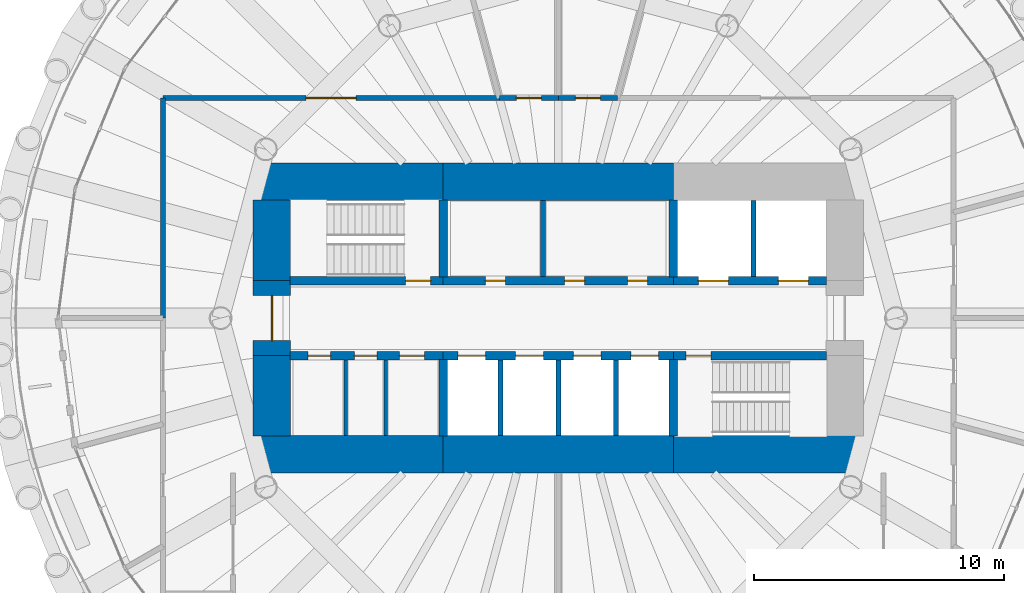
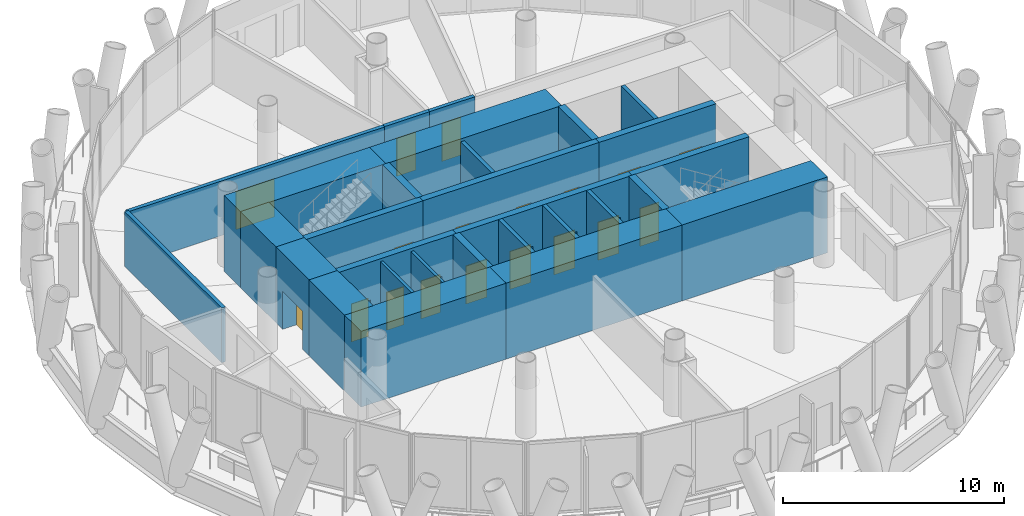
# One storey, part 9 of 13: 29 walls, 18 doors, 18 openings.
"""IFC4 building model written with IfcOpenShell, lengths in metres."""

from ifc_helpers import new_model, si_unit, direction, frame, frame_2d, origin, place, context, subcontext, project, spatial, rectangle, extrude, material, layer, layer_set, type_object, element, fill, save


model = new_model("IFC4")

# Units and contexts
model_context = context("Model", 3, precision=1e-05, world=origin(), true_north=direction((0.0, 1.0)))
body_context = subcontext(model_context, "Body", "Model", "MODEL_VIEW")
ifc_project = project(units=[si_unit("LENGTHUNIT", "METRE"), si_unit("AREAUNIT", "SQUARE_METRE"), si_unit("VOLUMEUNIT", "CUBIC_METRE"), si_unit("PLANEANGLEUNIT", "RADIAN"), si_unit("MASSUNIT", "GRAM", prefix="KILO")], contexts=[model_context])

# Site, building, storey
site_placement = place(None, origin())
site = spatial("IfcSite", under=ifc_project, at=site_placement, CompositionType="ELEMENT")
building_placement = place(site_placement, origin())
building = spatial("IfcBuilding", under=site, at=building_placement, Name="Qaws Media Tower", CompositionType="ELEMENT")
storey_placement = place(building_placement, frame((0.0, 0.0, 244.39990234375)))
storey = spatial("IfcBuildingStorey", under=building, at=storey_placement, Name="L56", CompositionType="ELEMENT", Elevation=244.39990234375)

# Wall, opening, door
ifc_material_1 = material(Name="Concrete C60/75", Category="concrete")
ifc_layer_1 = layer(ifc_material_1, 0.35009765625)
ifc_layer_set_1 = layer_set([ifc_layer_1], Name="Core inner wall 350")
wall_type_1 = type_object("IfcWallType", Name="Core inner wall 350", PredefinedType="SHEAR", material=ifc_layer_set_1)
wall_1_placement = place(storey_placement, frame((49.280029296875, 51.5, 0.0), z_axis=(0.0, 0.0, 1.0), x_axis=(1.0, 0.0, 0.0)))
wall_1 = element("IfcWall", 1, at=wall_1_placement, inside=storey, type_object=wall_type_1, Name="W301 SW5 core wall SPNW L56", PredefinedType="SHEAR", context=body_context, shape_type="SweptSolid", body=[
    extrude(rectangle(XDim=6.119873046875, YDim=0.35009765625, at=frame_2d((3.06005859375, 0.0))), origin(), (0.0, 0.0, 1.0), 4.2001953125),
])
opening_1_placement = place(wall_1_placement, frame((4.6201171875, 0.0, 0.0)))
opening_1 = element("IfcOpeningElement", 2, at=opening_1_placement, cuts=wall_1, Name="Opening D1", PredefinedType="OPENING", context=body_context, shape_type="SweptSolid", body=[
    extrude(rectangle(XDim=1.0, YDim=2.10009765625, at=frame_2d((0.5, 1.050048828125))), frame((0.0, 0.18505859375, 0.0), z_axis=(0.0, -1.0, 0.0), x_axis=(1.0, 0.0, 0.0)), (0.0, 0.0, 1.0), 0.3701171875),
])
ifc_material_2 = material(Name="Steel, fire rated", Category="steel")
door_type_1 = type_object("IfcDoorType", Name="Stair door 1000 FD120", OperationType="SINGLE_SWING_LEFT", PredefinedType="DOOR", material=ifc_material_2)
door_1_placement = place(opening_1_placement, origin())
door_1 = element("IfcDoor", 3, at=door_1_placement, inside=storey, type_object=door_type_1, Name="D1 stair S1 door L56 in wall W301", OperationType="SINGLE_SWING_LEFT", OverallHeight=2.10009765625, OverallWidth=1.0, PredefinedType="DOOR", context=body_context, shape_type="SweptSolid", body=[
    extrude(rectangle(XDim=1.0, YDim=2.10009765625, at=frame_2d((0.5, 1.050048828125))), frame((0.0, 0.02490234375, 0.0), z_axis=(0.0, -1.0, 0.0), x_axis=(1.0, 0.0, 0.0)), (0.0, 0.0, 1.0), 0.050048828125),
])
fill(opening_1, door_1)

# Wall, openings, doors
wall_2_placement = place(storey_placement, frame((55.39990234375, 51.5, 0.0), z_axis=(0.0, 0.0, 1.0), x_axis=(1.0, 0.0, 0.0)))
wall_2 = element("IfcWall", 4, at=wall_2_placement, inside=storey, type_object=wall_type_1, Name="W304 SW5 core wall SPN L56", PredefinedType="SHEAR", context=body_context, shape_type="SweptSolid", body=[
    extrude(rectangle(XDim=9.2001953125, YDim=0.35009765625, at=frame_2d((4.60009765625, 0.0))), origin(), (0.0, 0.0, 1.0), 4.2001953125),
])
opening_2_placement = place(wall_2_placement, frame((1.685791015625, 0.0, 0.0)))
opening_2 = element("IfcOpeningElement", 5, at=opening_2_placement, cuts=wall_2, Name="Opening D23", PredefinedType="OPENING", context=body_context, shape_type="SweptSolid", body=[
    extrude(rectangle(XDim=0.800048828125, YDim=2.10009765625, at=frame_2d((0.39990234375, 1.050048828125))), frame((0.0, 0.18505859375, 0.0), z_axis=(0.0, -1.0, 0.0), x_axis=(1.0, 0.0, 0.0)), (0.0, 0.0, 1.0), 0.3701171875),
])
opening_3_placement = place(wall_2_placement, frame((4.853759765625, 0.0, 0.0)))
opening_3 = element("IfcOpeningElement", 6, at=opening_3_placement, cuts=wall_2, Name="Opening D23", PredefinedType="OPENING", context=body_context, shape_type="SweptSolid", body=[
    extrude(rectangle(XDim=0.800048828125, YDim=2.10009765625, at=frame_2d((0.39990234375, 1.050048828125))), frame((0.0, 0.18505859375, 0.0), z_axis=(0.0, -1.0, 0.0), x_axis=(1.0, 0.0, 0.0)), (0.0, 0.0, 1.0), 0.3701171875),
])
opening_4_placement = place(wall_2_placement, frame((7.367919921875, 0.0, 0.0)))
opening_4 = element("IfcOpeningElement", 7, at=opening_4_placement, cuts=wall_2, Name="Opening D23", PredefinedType="OPENING", context=body_context, shape_type="SweptSolid", body=[
    extrude(rectangle(XDim=0.800048828125, YDim=2.10009765625, at=frame_2d((0.39990234375, 1.050048828125))), frame((0.0, 0.18505859375, 0.0), z_axis=(0.0, -1.0, 0.0), x_axis=(1.0, 0.0, 0.0)), (0.0, 0.0, 1.0), 0.3701171875),
])
ifc_material_3 = material(Name="Steel, fire rated", Category="steel")
door_type_2 = type_object("IfcDoorType", Name="Core room door 800x2100", OperationType="SINGLE_SWING_LEFT", PredefinedType="DOOR", material=ifc_material_3)
door_2_placement = place(opening_2_placement, origin())
door_2 = element("IfcDoor", 8, at=door_2_placement, inside=storey, type_object=door_type_2, Name="D23 Gents toilets door L56 in wall W304", OperationType="SINGLE_SWING_LEFT", OverallHeight=2.10009765625, OverallWidth=0.800048828125, PredefinedType="DOOR", context=body_context, shape_type="SweptSolid", body=[
    extrude(rectangle(XDim=0.800048828125, YDim=2.10009765625, at=frame_2d((0.39990234375, 1.050048828125))), frame((0.0, 0.02490234375, 0.0), z_axis=(0.0, -1.0, 0.0), x_axis=(1.0, 0.0, 0.0)), (0.0, 0.0, 1.0), 0.050048828125),
])
fill(opening_2, door_2)
door_3_placement = place(opening_3_placement, origin())
door_3 = element("IfcDoor", 9, at=door_3_placement, inside=storey, type_object=door_type_2, Name="D23 Ladies toilets door L56 2 in wall W304", OperationType="SINGLE_SWING_LEFT", OverallHeight=2.10009765625, OverallWidth=0.800048828125, PredefinedType="DOOR", context=body_context, shape_type="SweptSolid", body=[
    extrude(rectangle(XDim=0.800048828125, YDim=2.10009765625, at=frame_2d((0.39990234375, 1.050048828125))), frame((0.0, 0.02490234375, 0.0), z_axis=(0.0, -1.0, 0.0), x_axis=(1.0, 0.0, 0.0)), (0.0, 0.0, 1.0), 0.050048828125),
])
fill(opening_3, door_3)
door_4_placement = place(opening_4_placement, origin())
door_4 = element("IfcDoor", 10, at=door_4_placement, inside=storey, type_object=door_type_2, Name="D23 Ladies toilets door L56 3 in wall W304", OperationType="SINGLE_SWING_LEFT", OverallHeight=2.10009765625, OverallWidth=0.800048828125, PredefinedType="DOOR", context=body_context, shape_type="SweptSolid", body=[
    extrude(rectangle(XDim=0.800048828125, YDim=2.10009765625, at=frame_2d((0.39990234375, 1.050048828125))), frame((0.0, 0.02490234375, 0.0), z_axis=(0.0, -1.0, 0.0), x_axis=(1.0, 0.0, 0.0)), (0.0, 0.0, 1.0), 0.050048828125),
])
fill(opening_4, door_4)

wall_3_placement = place(storey_placement, frame((64.60009765625, 51.5, 0.0), z_axis=(0.0, 0.0, 1.0), x_axis=(1.0, 0.0, 0.0)))
wall_3 = element("IfcWall", 11, at=wall_3_placement, inside=storey, type_object=wall_type_1, Name="W308 SW5 core wall SPNE L56", PredefinedType="SHEAR", context=body_context, shape_type="SweptSolid", body=[
    extrude(rectangle(XDim=6.119873046875, YDim=0.35009765625, at=frame_2d((3.06005859375, 0.0))), origin(), (0.0, 0.0, 1.0), 4.2001953125),
])
opening_5_placement = place(wall_3_placement, frame((1.0, 0.0, 0.0)))
opening_5 = element("IfcOpeningElement", 12, at=opening_5_placement, cuts=wall_3, Name="Opening LD2", PredefinedType="OPENING", context=body_context, shape_type="SweptSolid", body=[
    extrude(rectangle(XDim=1.199951171875, YDim=2.10009765625, at=frame_2d((0.60009765625, 1.050048828125))), frame((0.0, 0.18505859375, 0.0), z_axis=(0.0, -1.0, 0.0), x_axis=(1.0, 0.0, 0.0)), (0.0, 0.0, 1.0), 0.3701171875),
])
opening_6_placement = place(wall_3_placement, frame((4.199951171875, 0.0, 0.0)))
opening_6 = element("IfcOpeningElement", 13, at=opening_6_placement, cuts=wall_3, Name="Opening LD2", PredefinedType="OPENING", context=body_context, shape_type="SweptSolid", body=[
    extrude(rectangle(XDim=1.199951171875, YDim=2.10009765625, at=frame_2d((0.60009765625, 1.050048828125))), frame((0.0, 0.18505859375, 0.0), z_axis=(0.0, -1.0, 0.0), x_axis=(1.0, 0.0, 0.0)), (0.0, 0.0, 1.0), 0.3701171875),
])
ifc_material_4 = material(Name="Steel, fire rated", Category="steel")
door_type_3 = type_object("IfcDoorType", Name="Lift landing door 1200", OperationType="SLIDING_TO_LEFT", PredefinedType="DOOR", material=ifc_material_4)
door_5_placement = place(opening_5_placement, origin())
door_5 = element("IfcDoor", 14, at=door_5_placement, inside=storey, type_object=door_type_3, Name="FL1 landing door L56 in wall W308", OperationType="SLIDING_TO_LEFT", OverallHeight=2.10009765625, OverallWidth=1.199951171875, PredefinedType="DOOR", context=body_context, shape_type="SweptSolid", body=[
    extrude(rectangle(XDim=1.199951171875, YDim=2.10009765625, at=frame_2d((0.60009765625, 1.050048828125))), frame((0.0, 0.02490234375, 0.0), z_axis=(0.0, -1.0, 0.0), x_axis=(1.0, 0.0, 0.0)), (0.0, 0.0, 1.0), 0.050048828125),
])
fill(opening_5, door_5)
door_6_placement = place(opening_6_placement, origin())
door_6 = element("IfcDoor", 15, at=door_6_placement, inside=storey, type_object=door_type_3, Name="FL2 landing door L56 in wall W308", OperationType="SLIDING_TO_LEFT", OverallHeight=2.10009765625, OverallWidth=1.199951171875, PredefinedType="DOOR", context=body_context, shape_type="SweptSolid", body=[
    extrude(rectangle(XDim=1.199951171875, YDim=2.10009765625, at=frame_2d((0.60009765625, 1.050048828125))), frame((0.0, 0.02490234375, 0.0), z_axis=(0.0, -1.0, 0.0), x_axis=(1.0, 0.0, 0.0)), (0.0, 0.0, 1.0), 0.050048828125),
])
fill(opening_6, door_6)

wall_4_placement = place(storey_placement, frame((49.280029296875, 48.5, 0.0), z_axis=(0.0, 0.0, 1.0), x_axis=(1.0, 0.0, 0.0)))
wall_4 = element("IfcWall", 16, at=wall_4_placement, inside=storey, type_object=wall_type_1, Name="W300 SW5 core wall SPSW L56", PredefinedType="SHEAR", context=body_context, shape_type="SweptSolid", body=[
    extrude(rectangle(XDim=6.119873046875, YDim=0.35009765625, at=frame_2d((3.06005859375, 0.0))), origin(), (0.0, 0.0, 1.0), 4.2001953125),
])
opening_7_placement = place(wall_4_placement, frame((0.719970703125, 0.0, 0.0)))
opening_7 = element("IfcOpeningElement", 17, at=opening_7_placement, cuts=wall_4, Name="Opening D3", PredefinedType="OPENING", context=body_context, shape_type="SweptSolid", body=[
    extrude(rectangle(XDim=0.89990234375, YDim=2.10009765625, at=frame_2d((0.449951171875, 1.050048828125))), frame((0.0, 0.18505859375, 0.0), z_axis=(0.0, -1.0, 0.0), x_axis=(1.0, 0.0, 0.0)), (0.0, 0.0, 1.0), 0.3701171875),
])
opening_8_placement = place(wall_4_placement, frame((2.570068359375, 0.0, 0.0)))
opening_8 = element("IfcOpeningElement", 18, at=opening_8_placement, cuts=wall_4, Name="Opening D25", PredefinedType="OPENING", context=body_context, shape_type="SweptSolid", body=[
    extrude(rectangle(XDim=0.89990234375, YDim=2.10009765625, at=frame_2d((0.449951171875, 1.050048828125))), frame((0.0, 0.18505859375, 0.0), z_axis=(0.0, -1.0, 0.0), x_axis=(1.0, 0.0, 0.0)), (0.0, 0.0, 1.0), 0.3701171875),
])
opening_9_placement = place(wall_4_placement, frame((4.3701171875, 0.0, 0.0)))
opening_9 = element("IfcOpeningElement", 19, at=opening_9_placement, cuts=wall_4, Name="Opening D4", PredefinedType="OPENING", context=body_context, shape_type="SweptSolid", body=[
    extrude(rectangle(XDim=1.0, YDim=2.10009765625, at=frame_2d((0.5, 1.050048828125))), frame((0.0, 0.18505859375, 0.0), z_axis=(0.0, -1.0, 0.0), x_axis=(1.0, 0.0, 0.0)), (0.0, 0.0, 1.0), 0.3701171875),
])
ifc_material_5 = material(Name="Timber veneered", Category="wood")
door_type_4 = type_object("IfcDoorType", Name="Accessible WC door 1000", OperationType="SLIDING_TO_LEFT", PredefinedType="DOOR", material=ifc_material_5)
door_7_placement = place(opening_9_placement, origin())
door_7 = element("IfcDoor", 20, at=door_7_placement, inside=storey, type_object=door_type_4, Name="D4 toilet door 3 L56 in wall W300", OperationType="SLIDING_TO_LEFT", OverallHeight=2.10009765625, OverallWidth=1.0, PredefinedType="DOOR", context=body_context, shape_type="SweptSolid", body=[
    extrude(rectangle(XDim=1.0, YDim=2.10009765625, at=frame_2d((0.5, 1.050048828125))), frame((0.0, 0.02490234375, 0.0), z_axis=(0.0, -1.0, 0.0), x_axis=(1.0, 0.0, 0.0)), (0.0, 0.0, 1.0), 0.050048828125),
])
fill(opening_9, door_7)
ifc_material_6 = material(Name="Steel, fire rated", Category="steel")
door_type_5 = type_object("IfcDoorType", Name="Core service door 900", OperationType="SINGLE_SWING_RIGHT", PredefinedType="DOOR", material=ifc_material_6)
door_8_placement = place(opening_8_placement, origin())
door_8 = element("IfcDoor", 21, at=door_8_placement, inside=storey, type_object=door_type_5, Name="D25 toilet door 2 L56 in wall W300", OperationType="SINGLE_SWING_RIGHT", OverallHeight=2.10009765625, OverallWidth=0.89990234375, PredefinedType="DOOR", context=body_context, shape_type="SweptSolid", body=[
    extrude(rectangle(XDim=0.89990234375, YDim=2.10009765625, at=frame_2d((0.449951171875, 1.050048828125))), frame((0.0, 0.02490234375, 0.0), z_axis=(0.0, -1.0, 0.0), x_axis=(1.0, 0.0, 0.0)), (0.0, 0.0, 1.0), 0.050048828125),
])
fill(opening_8, door_8)
ifc_material_7 = material(Name="Timber veneered", Category="wood")
door_type_6 = type_object("IfcDoorType", Name="Toilet door 900", OperationType="SINGLE_SWING_RIGHT", PredefinedType="DOOR", material=ifc_material_7)
door_9_placement = place(opening_7_placement, origin())
door_9 = element("IfcDoor", 22, at=door_9_placement, inside=storey, type_object=door_type_6, Name="D3 toilet door 1 L56 in wall W300", OperationType="SINGLE_SWING_RIGHT", OverallHeight=2.10009765625, OverallWidth=0.89990234375, PredefinedType="DOOR", context=body_context, shape_type="SweptSolid", body=[
    extrude(rectangle(XDim=0.89990234375, YDim=2.10009765625, at=frame_2d((0.449951171875, 1.050048828125))), frame((0.0, 0.02490234375, 0.0), z_axis=(0.0, -1.0, 0.0), x_axis=(1.0, 0.0, 0.0)), (0.0, 0.0, 1.0), 0.050048828125),
])
fill(opening_7, door_9)

wall_5_placement = place(storey_placement, frame((55.39990234375, 48.5, 0.0), z_axis=(0.0, 0.0, 1.0), x_axis=(1.0, 0.0, 0.0)))
wall_5 = element("IfcWall", 23, at=wall_5_placement, inside=storey, type_object=wall_type_1, Name="W303 SW5 core wall SPS L56", PredefinedType="SHEAR", context=body_context, shape_type="SweptSolid", body=[
    extrude(rectangle(XDim=9.2001953125, YDim=0.35009765625, at=frame_2d((4.60009765625, 0.0))), origin(), (0.0, 0.0, 1.0), 4.2001953125),
])
opening_10_placement = place(wall_5_placement, frame((0.60009765625, 0.0, 0.0)))
opening_10 = element("IfcOpeningElement", 24, at=opening_10_placement, cuts=wall_5, Name="Opening LD", PredefinedType="OPENING", context=body_context, shape_type="SweptSolid", body=[
    extrude(rectangle(XDim=1.10009765625, YDim=2.10009765625, at=frame_2d((0.550048828125, 1.050048828125))), frame((0.0, 0.18505859375, 0.0), z_axis=(0.0, -1.0, 0.0), x_axis=(1.0, 0.0, 0.0)), (0.0, 0.0, 1.0), 0.3701171875),
])
opening_11_placement = place(wall_5_placement, frame((2.89990234375, 0.0, 0.0)))
opening_11 = element("IfcOpeningElement", 25, at=opening_11_placement, cuts=wall_5, Name="Opening LD", PredefinedType="OPENING", context=body_context, shape_type="SweptSolid", body=[
    extrude(rectangle(XDim=1.10009765625, YDim=2.10009765625, at=frame_2d((0.550048828125, 1.050048828125))), frame((0.0, 0.18505859375, 0.0), z_axis=(0.0, -1.0, 0.0), x_axis=(1.0, 0.0, 0.0)), (0.0, 0.0, 1.0), 0.3701171875),
])
opening_12_placement = place(wall_5_placement, frame((5.199951171875, 0.0, 0.0)))
opening_12 = element("IfcOpeningElement", 26, at=opening_12_placement, cuts=wall_5, Name="Opening LD", PredefinedType="OPENING", context=body_context, shape_type="SweptSolid", body=[
    extrude(rectangle(XDim=1.10009765625, YDim=2.10009765625, at=frame_2d((0.550048828125, 1.050048828125))), frame((0.0, 0.18505859375, 0.0), z_axis=(0.0, -1.0, 0.0), x_axis=(1.0, 0.0, 0.0)), (0.0, 0.0, 1.0), 0.3701171875),
])
opening_13_placement = place(wall_5_placement, frame((7.5, 0.0, 0.0)))
opening_13 = element("IfcOpeningElement", 27, at=opening_13_placement, cuts=wall_5, Name="Opening LD", PredefinedType="OPENING", context=body_context, shape_type="SweptSolid", body=[
    extrude(rectangle(XDim=1.10009765625, YDim=2.10009765625, at=frame_2d((0.550048828125, 1.050048828125))), frame((0.0, 0.18505859375, 0.0), z_axis=(0.0, -1.0, 0.0), x_axis=(1.0, 0.0, 0.0)), (0.0, 0.0, 1.0), 0.3701171875),
])
ifc_material_8 = material(Name="Steel, fire rated", Category="steel")
door_type_7 = type_object("IfcDoorType", Name="Lift landing door 1100", OperationType="SLIDING_TO_LEFT", PredefinedType="DOOR", material=ifc_material_8)
door_10_placement = place(opening_10_placement, origin())
door_10 = element("IfcDoor", 28, at=door_10_placement, inside=storey, type_object=door_type_7, Name="P5 landing door L56 in wall W303", OperationType="SLIDING_TO_LEFT", OverallHeight=2.10009765625, OverallWidth=1.10009765625, PredefinedType="DOOR", context=body_context, shape_type="SweptSolid", body=[
    extrude(rectangle(XDim=1.10009765625, YDim=2.10009765625, at=frame_2d((0.550048828125, 1.050048828125))), frame((0.0, 0.02490234375, 0.0), z_axis=(0.0, -1.0, 0.0), x_axis=(1.0, 0.0, 0.0)), (0.0, 0.0, 1.0), 0.050048828125),
])
fill(opening_10, door_10)
door_11_placement = place(opening_11_placement, origin())
door_11 = element("IfcDoor", 29, at=door_11_placement, inside=storey, type_object=door_type_7, Name="P6 landing door L56 in wall W303", OperationType="SLIDING_TO_LEFT", OverallHeight=2.10009765625, OverallWidth=1.10009765625, PredefinedType="DOOR", context=body_context, shape_type="SweptSolid", body=[
    extrude(rectangle(XDim=1.10009765625, YDim=2.10009765625, at=frame_2d((0.550048828125, 1.050048828125))), frame((0.0, 0.02490234375, 0.0), z_axis=(0.0, -1.0, 0.0), x_axis=(1.0, 0.0, 0.0)), (0.0, 0.0, 1.0), 0.050048828125),
])
fill(opening_11, door_11)
door_12_placement = place(opening_12_placement, origin())
door_12 = element("IfcDoor", 30, at=door_12_placement, inside=storey, type_object=door_type_7, Name="P7 landing door L56 in wall W303", OperationType="SLIDING_TO_LEFT", OverallHeight=2.10009765625, OverallWidth=1.10009765625, PredefinedType="DOOR", context=body_context, shape_type="SweptSolid", body=[
    extrude(rectangle(XDim=1.10009765625, YDim=2.10009765625, at=frame_2d((0.550048828125, 1.050048828125))), frame((0.0, 0.02490234375, 0.0), z_axis=(0.0, -1.0, 0.0), x_axis=(1.0, 0.0, 0.0)), (0.0, 0.0, 1.0), 0.050048828125),
])
fill(opening_12, door_12)
door_13_placement = place(opening_13_placement, origin())
door_13 = element("IfcDoor", 31, at=door_13_placement, inside=storey, type_object=door_type_7, Name="P8 landing door L56 in wall W303", OperationType="SLIDING_TO_LEFT", OverallHeight=2.10009765625, OverallWidth=1.10009765625, PredefinedType="DOOR", context=body_context, shape_type="SweptSolid", body=[
    extrude(rectangle(XDim=1.10009765625, YDim=2.10009765625, at=frame_2d((0.550048828125, 1.050048828125))), frame((0.0, 0.02490234375, 0.0), z_axis=(0.0, -1.0, 0.0), x_axis=(1.0, 0.0, 0.0)), (0.0, 0.0, 1.0), 0.050048828125),
])
fill(opening_13, door_13)

# Wall, opening, door
wall_6_placement = place(storey_placement, frame((64.60009765625, 48.5, 0.0), z_axis=(0.0, 0.0, 1.0), x_axis=(1.0, 0.0, 0.0)))
wall_6 = element("IfcWall", 32, at=wall_6_placement, inside=storey, type_object=wall_type_1, Name="W307 SW5 core wall SPSE L56", PredefinedType="SHEAR", context=body_context, shape_type="SweptSolid", body=[
    extrude(rectangle(XDim=6.119873046875, YDim=0.35009765625, at=frame_2d((3.06005859375, 0.0))), origin(), (0.0, 0.0, 1.0), 4.2001953125),
])
opening_14_placement = place(wall_6_placement, frame((0.5, 0.0, 0.0)))
opening_14 = element("IfcOpeningElement", 33, at=opening_14_placement, cuts=wall_6, Name="Opening D1", PredefinedType="OPENING", context=body_context, shape_type="SweptSolid", body=[
    extrude(rectangle(XDim=1.0, YDim=2.10009765625, at=frame_2d((0.5, 1.050048828125))), frame((0.0, 0.18505859375, 0.0), z_axis=(0.0, -1.0, 0.0), x_axis=(1.0, 0.0, 0.0)), (0.0, 0.0, 1.0), 0.3701171875),
])
door_14_placement = place(opening_14_placement, origin())
door_14 = element("IfcDoor", 34, at=door_14_placement, inside=storey, type_object=door_type_1, Name="D1 stair S2 door L56 in wall W307", OperationType="SINGLE_SWING_LEFT", OverallHeight=2.10009765625, OverallWidth=1.0, PredefinedType="DOOR", context=body_context, shape_type="SweptSolid", body=[
    extrude(rectangle(XDim=1.0, YDim=2.10009765625, at=frame_2d((0.5, 1.050048828125))), frame((0.0, 0.02490234375, 0.0), z_axis=(0.0, -1.0, 0.0), x_axis=(1.0, 0.0, 0.0)), (0.0, 0.0, 1.0), 0.050048828125),
])
fill(opening_14, door_14)

# Walls
for number, where, z_axis, x_axis, name in (
    (35, (55.39990234375, 51.655029296875, 0.0), (0.0, 0.0, 1.0), (0.0, 1.0, 0.0), "W305 SW5 core wall XNW L56"),
    (36, (64.60009765625, 51.655029296875, 0.0), (0.0, 0.0, 1.0), (0.0, 1.0, 0.0), "W309 SW5 core wall XNE L56"),
    (37, (55.39990234375, 48.344970703125, 0.0), (0.0, 0.0, 1.0), (0.0, -1.0, 0.0), "W302 SW5 core wall XSW L56"),
    (38, (64.60009765625, 48.344970703125, 0.0), (0.0, 0.0, 1.0), (0.0, -1.0, 0.0), "W306 SW5 core wall XSE L56"),
):
    element("IfcWall", number, at=place(storey_placement, frame(where, z_axis=z_axis, x_axis=x_axis)), inside=storey, type_object=wall_type_1, Name=name, PredefinedType="SHEAR", context=body_context, shape_type="SweptSolid", body=[
        extrude(rectangle(XDim=3.06494140625, YDim=0.35009765625, at=frame_2d((1.532470703125, 0.0))), origin(), (0.0, 0.0, 1.0), 4.2001953125),
    ])
ifc_material_9 = material(Name="Concrete C60/75", Category="concrete")
ifc_layer_2 = layer(ifc_material_9, 1.5)
ifc_layer_set_2 = layer_set([ifc_layer_2], Name="Core wall 1500")
wall_type_2 = type_object("IfcWallType", Name="Core wall 1500", PredefinedType="SHEAR", material=ifc_layer_set_2)
wall_7_placement = place(storey_placement, frame((47.800048828125, 55.449951171875, 0.0), z_axis=(0.0, 0.0, 1.0), x_axis=(1.0, 0.0, 0.0)))
element("IfcWall", 39, at=wall_7_placement, inside=storey, type_object=wall_type_2, Name="W377 SW13 core wall NW L56", PredefinedType="SHEAR", context=body_context, shape_type="SweptSolid", body=[
    extrude(rectangle(XDim=7.599853515625, YDim=1.5, at=frame_2d((3.7998046875, 0.0))), origin(), (0.0, 0.0, 1.0), 4.2001953125),
])
wall_8_placement = place(storey_placement, frame((55.39990234375, 55.449951171875, 0.0), z_axis=(0.0, 0.0, 1.0), x_axis=(1.0, 0.0, 0.0)))
element("IfcWall", 40, at=wall_8_placement, inside=storey, type_object=wall_type_2, Name="W373 SW13 core wall N L56", PredefinedType="SHEAR", context=body_context, shape_type="SweptSolid", body=[
    extrude(rectangle(XDim=9.2001953125, YDim=1.5, at=frame_2d((4.60009765625, 0.0))), origin(), (0.0, 0.0, 1.0), 4.2001953125),
])
wall_9_placement = place(storey_placement, frame((47.800048828125, 44.550048828125, 0.0), z_axis=(0.0, 0.0, 1.0), x_axis=(1.0, 0.0, 0.0)))
element("IfcWall", 41, at=wall_9_placement, inside=storey, type_object=wall_type_2, Name="W376 SW13 core wall SW L56", PredefinedType="SHEAR", context=body_context, shape_type="SweptSolid", body=[
    extrude(rectangle(XDim=7.599853515625, YDim=1.5, at=frame_2d((3.7998046875, 0.0))), origin(), (0.0, 0.0, 1.0), 4.2001953125),
])
wall_10_placement = place(storey_placement, frame((55.39990234375, 44.550048828125, 0.0), z_axis=(0.0, 0.0, 1.0), x_axis=(1.0, 0.0, 0.0)))
element("IfcWall", 42, at=wall_10_placement, inside=storey, type_object=wall_type_2, Name="W372 SW13 core wall S L56", PredefinedType="SHEAR", context=body_context, shape_type="SweptSolid", body=[
    extrude(rectangle(XDim=9.2001953125, YDim=1.5, at=frame_2d((4.60009765625, 0.0))), origin(), (0.0, 0.0, 1.0), 4.2001953125),
])
wall_11_placement = place(storey_placement, frame((64.60009765625, 44.550048828125, 0.0), z_axis=(0.0, 0.0, 1.0), x_axis=(1.0, 0.0, 0.0)))
element("IfcWall", 43, at=wall_11_placement, inside=storey, type_object=wall_type_2, Name="W381 SW13 core wall SE L56", PredefinedType="SHEAR", context=body_context, shape_type="SweptSolid", body=[
    extrude(rectangle(XDim=7.599853515625, YDim=1.5, at=frame_2d((3.7998046875, 0.0))), origin(), (0.0, 0.0, 1.0), 4.2001953125),
])
wall_12_placement = place(storey_placement, frame((48.550048828125, 45.280029296875, 0.0), z_axis=(0.0, 0.0, 1.0), x_axis=(0.0, 1.0, 0.0)))
element("IfcWall", 44, at=wall_12_placement, inside=storey, type_object=wall_type_2, Name="W378 SW13 core wall WS L56", PredefinedType="SHEAR", context=body_context, shape_type="SweptSolid", body=[
    extrude(rectangle(XDim=3.219970703125, YDim=1.5, at=frame_2d((1.60986328125, 0.0))), origin(), (0.0, 0.0, 1.0), 4.2001953125),
])

# Wall, opening, door
wall_13_placement = place(storey_placement, frame((48.550048828125, 48.5, 0.0), z_axis=(0.0, 0.0, 1.0), x_axis=(0.0, 1.0, 0.0)))
wall_13 = element("IfcWall", 45, at=wall_13_placement, inside=storey, type_object=wall_type_2, Name="W379 SW13 core wall W L56", PredefinedType="SHEAR", context=body_context, shape_type="SweptSolid", body=[
    extrude(rectangle(XDim=3.0, YDim=1.5, at=frame_2d((1.5, 0.0))), origin(), (0.0, 0.0, 1.0), 4.2001953125),
])
opening_15_placement = place(wall_13_placement, frame((0.60009765625, 0.0, 0.0)))
opening_15 = element("IfcOpeningElement", 46, at=opening_15_placement, cuts=wall_13, Name="Opening D2", PredefinedType="OPENING", context=body_context, shape_type="SweptSolid", body=[
    extrude(rectangle(XDim=1.800048828125, YDim=2.10009765625, at=frame_2d((0.89990234375, 1.050048828125))), frame((0.0, 0.760009765625, 0.0), z_axis=(0.0, -1.0, 0.0), x_axis=(1.0, 0.0, 0.0)), (0.0, 0.0, 1.0), 1.52001953125),
])
ifc_material_10 = material(Name="Steel and glass, fire rated", Category="steel")
door_type_8 = type_object("IfcDoorType", Name="Lobby door pair 1800 FD60", OperationType="DOUBLE_DOOR_DOUBLE_SWING", PredefinedType="DOOR", material=ifc_material_10)
door_15_placement = place(opening_15_placement, origin())
door_15 = element("IfcDoor", 47, at=door_15_placement, inside=storey, type_object=door_type_8, Name="D2 core lobby door W L56 in wall W379", OperationType="DOUBLE_DOOR_DOUBLE_SWING", OverallHeight=2.10009765625, OverallWidth=1.800048828125, PredefinedType="DOOR", context=body_context, shape_type="SweptSolid", body=[
    extrude(rectangle(XDim=1.800048828125, YDim=2.10009765625, at=frame_2d((0.89990234375, 1.050048828125))), frame((0.0, 0.02490234375, 0.0), z_axis=(0.0, -1.0, 0.0), x_axis=(1.0, 0.0, 0.0)), (0.0, 0.0, 1.0), 0.050048828125),
])
fill(opening_15, door_15)

# Wall
wall_14_placement = place(storey_placement, frame((48.550048828125, 51.5, 0.0), z_axis=(0.0, 0.0, 1.0), x_axis=(0.0, 1.0, 0.0)))
element("IfcWall", 48, at=wall_14_placement, inside=storey, type_object=wall_type_2, Name="W380 SW13 core wall WN L56", PredefinedType="SHEAR", context=body_context, shape_type="SweptSolid", body=[
    extrude(rectangle(XDim=3.219970703125, YDim=1.5, at=frame_2d((1.60986328125, 0.0))), origin(), (0.0, 0.0, 1.0), 4.2001953125),
])

# Wall, opening, door
ifc_material_11 = material(Name="Gypsum board on galvanised metal studs, acoustic double stud, deflection head", Category="gypsum")
ifc_layer_3 = layer(ifc_material_11, 0.199951171875)
ifc_layer_set_3 = layer_set([ifc_layer_3], Name="Room partition 200")
wall_type_3 = type_object("IfcWallType", Name="Room partition 200", PredefinedType="PARTITIONING", material=ifc_layer_set_3)
wall_15_placement = place(storey_placement, frame((44.199951171875, 58.800048828125, 0.0), z_axis=(0.0, 0.0, 1.0), x_axis=(1.0, 0.0, 0.0)))
wall_15 = element("IfcWall", 49, at=wall_15_placement, inside=storey, type_object=wall_type_3, Name="W1649 IW3 partition L56", PredefinedType="PARTITIONING", context=body_context, shape_type="SweptSolid", body=[
    extrude(rectangle(XDim=13.442138671875, YDim=0.199951171875, at=frame_2d((6.72119140625, 0.0))), origin(), (0.0, 0.0, 1.0), 3.02001953125),
])
opening_16_placement = place(wall_15_placement, frame((5.720947265625, 0.0, 0.0)))
opening_16 = element("IfcOpeningElement", 50, at=opening_16_placement, cuts=wall_15, Name="Opening D6", PredefinedType="OPENING", context=body_context, shape_type="SweptSolid", body=[
    extrude(rectangle(XDim=2.0, YDim=2.10009765625, at=frame_2d((1.0, 1.050048828125))), frame((0.0, 0.10986328125, 0.0), z_axis=(0.0, -1.0, 0.0), x_axis=(1.0, 0.0, 0.0)), (0.0, 0.0, 1.0), 0.219970703125),
])
ifc_material_12 = material(Name="Steel, acoustic, fire rated", Category="steel")
door_type_9 = type_object("IfcDoorType", Name="Room door pair 2000", OperationType="DOUBLE_DOOR_DOUBLE_SWING", PredefinedType="DOOR", material=ifc_material_12)
door_16_placement = place(opening_16_placement, origin())
door_16 = element("IfcDoor", 51, at=door_16_placement, inside=storey, type_object=door_type_9, Name="D6 Tenant office door L56 in wall W1649", OperationType="DOUBLE_DOOR_DOUBLE_SWING", OverallHeight=2.10009765625, OverallWidth=2.0, PredefinedType="DOOR", context=body_context, shape_type="SweptSolid", body=[
    extrude(rectangle(XDim=2.0, YDim=2.10009765625, at=frame_2d((1.0, 1.050048828125))), frame((0.0, 0.02490234375, 0.0), z_axis=(0.0, -1.0, 0.0), x_axis=(1.0, 0.0, 0.0)), (0.0, 0.0, 1.0), 0.050048828125),
])
fill(opening_16, door_16)

wall_16_placement = place(storey_placement, frame((57.64208984375, 58.800048828125, 0.0), z_axis=(0.0, 0.0, 1.0), x_axis=(1.0, 0.0, 0.0)))
wall_16 = element("IfcWall", 52, at=wall_16_placement, inside=storey, type_object=wall_type_3, Name="W1651 IW3 partition L56", PredefinedType="PARTITIONING", context=body_context, shape_type="SweptSolid", body=[
    extrude(rectangle(XDim=2.35791015625, YDim=0.199951171875, at=frame_2d((1.178955078125, 0.0))), origin(), (0.0, 0.0, 1.0), 3.0400390625),
])
opening_17_placement = place(wall_16_placement, frame((0.678955078125, 0.0, 0.0)))
opening_17 = element("IfcOpeningElement", 53, at=opening_17_placement, cuts=wall_16, Name="Opening D5", PredefinedType="OPENING", context=body_context, shape_type="SweptSolid", body=[
    extrude(rectangle(XDim=1.0, YDim=2.10009765625, at=frame_2d((0.5, 1.050048828125))), frame((0.0, 0.10986328125, 0.0), z_axis=(0.0, -1.0, 0.0), x_axis=(1.0, 0.0, 0.0)), (0.0, 0.0, 1.0), 0.219970703125),
])
ifc_material_13 = material(Name="Timber veneered, acoustic seal", Category="wood")
door_type_10 = type_object("IfcDoorType", Name="Room door 1000", OperationType="SINGLE_SWING_LEFT", PredefinedType="DOOR", material=ifc_material_13)
door_17_placement = place(opening_17_placement, origin())
door_17 = element("IfcDoor", 54, at=door_17_placement, inside=storey, type_object=door_type_10, Name="D5 Tenant reception door L56 in wall W1651", OperationType="SINGLE_SWING_LEFT", OverallHeight=2.10009765625, OverallWidth=1.0, PredefinedType="DOOR", context=body_context, shape_type="SweptSolid", body=[
    extrude(rectangle(XDim=1.0, YDim=2.10009765625, at=frame_2d((0.5, 1.050048828125))), frame((0.0, 0.02490234375, 0.0), z_axis=(0.0, -1.0, 0.0), x_axis=(1.0, 0.0, 0.0)), (0.0, 0.0, 1.0), 0.050048828125),
])
fill(opening_17, door_17)

wall_17_placement = place(storey_placement, frame((60.0, 58.800048828125, 0.0), z_axis=(0.0, 0.0, 1.0), x_axis=(1.0, 0.0, 0.0)))
wall_17 = element("IfcWall", 55, at=wall_17_placement, inside=storey, type_object=wall_type_3, Name="W1657 IW3 partition L56", PredefinedType="PARTITIONING", context=body_context, shape_type="SweptSolid", body=[
    extrude(rectangle(XDim=2.35791015625, YDim=0.199951171875, at=frame_2d((1.178955078125, 0.0))), origin(), (0.0, 0.0, 1.0), 3.0400390625),
])
opening_18_placement = place(wall_17_placement, frame((0.678955078125, 0.0, 0.0)))
opening_18 = element("IfcOpeningElement", 56, at=opening_18_placement, cuts=wall_17, Name="Opening D5", PredefinedType="OPENING", context=body_context, shape_type="SweptSolid", body=[
    extrude(rectangle(XDim=1.0, YDim=2.10009765625, at=frame_2d((0.5, 1.050048828125))), frame((0.0, 0.10986328125, 0.0), z_axis=(0.0, -1.0, 0.0), x_axis=(1.0, 0.0, 0.0)), (0.0, 0.0, 1.0), 0.219970703125),
])
door_18_placement = place(opening_18_placement, origin())
door_18 = element("IfcDoor", 57, at=door_18_placement, inside=storey, type_object=door_type_10, Name="D5 Tenant pantry door L56 in wall W1657", OperationType="SINGLE_SWING_LEFT", OverallHeight=2.10009765625, OverallWidth=1.0, PredefinedType="DOOR", context=body_context, shape_type="SweptSolid", body=[
    extrude(rectangle(XDim=1.0, YDim=2.10009765625, at=frame_2d((0.5, 1.050048828125))), frame((0.0, 0.02490234375, 0.0), z_axis=(0.0, -1.0, 0.0), x_axis=(1.0, 0.0, 0.0)), (0.0, 0.0, 1.0), 0.050048828125),
])
fill(opening_18, door_18)

# Walls
wall_18_placement = place(storey_placement, frame((44.199951171875, 50.0, 0.0), z_axis=(0.0, 0.0, 1.0), x_axis=(0.0, 1.0, 0.0)))
element("IfcWall", 58, at=wall_18_placement, inside=storey, type_object=wall_type_3, Name="W1648 IW3 partition L56", PredefinedType="PARTITIONING", context=body_context, shape_type="SweptSolid", body=[
    extrude(rectangle(XDim=8.800048828125, YDim=0.199951171875, at=frame_2d((4.39990234375, 0.0))), origin(), (0.0, 0.0, 1.0), 3.02001953125),
])
wall_19_placement = place(storey_placement, frame((59.396484375, 51.675048828125, 0.0), z_axis=(0.0, 0.0, 1.0), x_axis=(0.0, 1.0, 0.0)))
element("IfcWall", 59, at=wall_19_placement, inside=storey, type_object=wall_type_3, Name="W1654 IW3 core room partition 1 L56", PredefinedType="PARTITIONING", context=body_context, shape_type="SweptSolid", body=[
    extrude(rectangle(XDim=3.02490234375, YDim=0.199951171875, at=frame_2d((1.512451171875, 0.0))), origin(), (0.0, 0.0, 1.0), 4.0400390625),
])
ifc_material_14 = material(Name="Fire-rated gypsum board shaft wall on galvanised metal studs, deflection head", Category="gypsum")
ifc_layer_4 = layer(ifc_material_14, 0.199951171875)
ifc_layer_set_4 = layer_set([ifc_layer_4], Name="Shaft wall 200")
wall_type_4 = type_object("IfcWallType", Name="Shaft wall 200", PredefinedType="PARTITIONING", material=ifc_layer_set_4)
for number, where, z_axis, x_axis, name in (
    (60, (57.699951171875, 45.300048828125, 0.0), (0.0, 0.0, 1.0), (0.0, 1.0, 0.0), "W1871 IW1 shaft wall S1 L56"),
    (61, (60.0, 45.300048828125, 0.0), (0.0, 0.0, 1.0), (0.0, 1.0, 0.0), "W1872 IW1 shaft wall S2 L56"),
    (62, (62.300048828125, 45.300048828125, 0.0), (0.0, 0.0, 1.0), (0.0, 1.0, 0.0), "W1873 IW1 shaft wall S3 L56"),
    (63, (67.800048828125, 51.675048828125, 0.0), (0.0, 0.0, 1.0), (0.0, 1.0, 0.0), "W1874 IW1 shaft wall FL L56"),
):
    element("IfcWall", number, at=place(storey_placement, frame(where, z_axis=z_axis, x_axis=x_axis)), inside=storey, type_object=wall_type_4, Name=name, PredefinedType="PARTITIONING", context=body_context, shape_type="SweptSolid", body=[
        extrude(rectangle(XDim=3.02490234375, YDim=0.199951171875, at=frame_2d((1.512451171875, 0.0))), origin(), (0.0, 0.0, 1.0), 4.2001953125),
    ])
ifc_material_15 = material(Name="Gypsum board on galvanised metal studs, deflection head", Category="gypsum")
ifc_layer_5 = layer(ifc_material_15, 0.14990234375)
ifc_layer_set_5 = layer_set([ifc_layer_5], Name="WC partition 150")
wall_type_5 = type_object("IfcWallType", Name="WC partition 150", PredefinedType="PARTITIONING", material=ifc_layer_set_5)
for number, where, z_axis, x_axis, name in (
    (64, (51.5, 45.300048828125, 0.0), (0.0, 0.0, 1.0), (0.0, 1.0, 0.0), "W1926 IW2 toilet partition 1 L56"),
    (65, (53.10009765625, 45.300048828125, 0.0), (0.0, 0.0, 1.0), (0.0, 1.0, 0.0), "W1927 IW2 toilet partition 2 L56"),
):
    element("IfcWall", number, at=place(storey_placement, frame(where, z_axis=z_axis, x_axis=x_axis)), inside=storey, type_object=wall_type_5, Name=name, PredefinedType="PARTITIONING", context=body_context, shape_type="SweptSolid", body=[
        extrude(rectangle(XDim=3.02490234375, YDim=0.14990234375, at=frame_2d((1.512451171875, 0.0))), origin(), (0.0, 0.0, 1.0), 4.0400390625),
    ])

save(model, "model.ifc")
